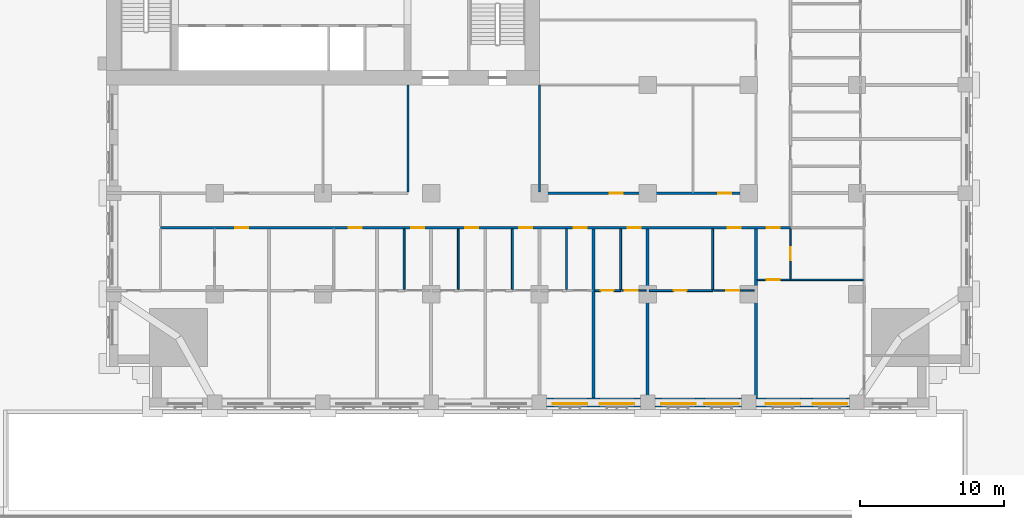
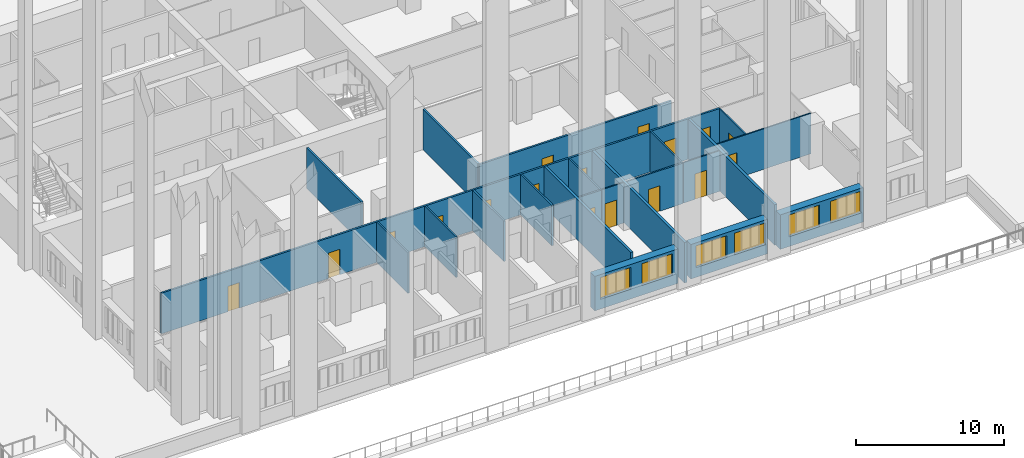
# One storey, part 7 of 27: 22 walls, 17 doors, 6 windows, 23 openings.
"""IFC4 building model written with IfcOpenShell, lengths in metres."""

from ifc_helpers import new_model, si_unit, direction, frame, frame_2d, origin, place, context, subcontext, project, spatial, rectangle, extrude, material, layer, layer_set, type_object, element, fill, save


model = new_model("IFC4")

# Units and contexts
model_context = context("Model", 3, precision=1e-05, world=origin(), true_north=direction((0.0, 1.0)))
body_context = subcontext(model_context, "Body", "Model", "MODEL_VIEW")
ifc_project = project(units=[si_unit("LENGTHUNIT", "METRE"), si_unit("AREAUNIT", "SQUARE_METRE"), si_unit("VOLUMEUNIT", "CUBIC_METRE"), si_unit("PLANEANGLEUNIT", "RADIAN"), si_unit("MASSUNIT", "GRAM", prefix="KILO")], contexts=[model_context])

# Site, building, storey
site_placement = place(None, origin())
site = spatial("IfcSite", under=ifc_project, at=site_placement, CompositionType="ELEMENT")
building_placement = place(site_placement, origin())
building = spatial("IfcBuilding", under=site, at=building_placement, Name="Tamorin Gate", CompositionType="ELEMENT")
storey_placement = place(building_placement, frame((0.0, 0.0, 34.0)))
storey = spatial("IfcBuildingStorey", under=building, at=storey_placement, Name="L06", CompositionType="ELEMENT", Elevation=34.0)

# Wall, openings, windows
ifc_material_1 = material(Name="Precast concrete C40/50", Category="concrete")
ifc_layer_1 = layer(ifc_material_1, 0.60009765625)
ifc_layer_set_1 = layer_set([ifc_layer_1], Name="Precast concrete C40/50")
wall_type_1 = type_object("IfcWallType", Name="Board-marked concrete facade panel 600", PredefinedType="SOLIDWALL", material=ifc_layer_set_1)
wall_1_placement = place(storey_placement, frame((60.5, 38.0, 0.0), z_axis=(0.0, 0.0, 1.0), x_axis=(1.0, 0.0, 0.0)))
wall_1 = element("IfcWall", 1, at=wall_1_placement, inside=storey, type_object=wall_type_1, Name="Facade panel", PredefinedType="SOLIDWALL", context=body_context, shape_type="SweptSolid", body=[
    extrude(rectangle(XDim=6.5, YDim=0.60009765625, at=frame_2d((3.25, 0.0))), origin(), (0.0, 0.0, 1.0), 2.85009765625),
])
opening_1_placement = place(wall_1_placement, frame((0.425048828125, 0.0, 0.800048828125)))
opening_1 = element("IfcOpeningElement", 2, at=opening_1_placement, cuts=wall_1, Name="Opening WN1", PredefinedType="OPENING", context=body_context, shape_type="SweptSolid", body=[
    extrude(rectangle(XDim=2.39990234375, YDim=1.800048828125, at=frame_2d((1.199951171875, 0.89990234375))), frame((0.0, 0.31005859375, 0.0), z_axis=(0.0, -1.0, 0.0), x_axis=(1.0, 0.0, 0.0)), (0.0, 0.0, 1.0), 0.6201171875),
])
opening_2_placement = place(wall_1_placement, frame((3.675048828125, 0.0, 0.800048828125)))
opening_2 = element("IfcOpeningElement", 3, at=opening_2_placement, cuts=wall_1, Name="Opening WN1", PredefinedType="OPENING", context=body_context, shape_type="SweptSolid", body=[
    extrude(rectangle(XDim=2.39990234375, YDim=1.800048828125, at=frame_2d((1.199951171875, 0.89990234375))), frame((0.0, 0.31005859375, 0.0), z_axis=(0.0, -1.0, 0.0), x_axis=(1.0, 0.0, 0.0)), (0.0, 0.0, 1.0), 0.6201171875),
])
ifc_material_2 = material(Name="Clear glass in aluminium frame", Category="aluminium")
window_type = type_object("IfcWindowType", Name="Deep-set window 2400x1800", PartitioningType="SINGLE_PANEL", PredefinedType="WINDOW", material=ifc_material_2)
window_1_placement = place(opening_1_placement, origin())
window_1 = element("IfcWindow", 4, at=window_1_placement, inside=storey, type_object=window_type, Name="Deep-set window", OverallHeight=1.800048828125, OverallWidth=2.39990234375, PartitioningType="SINGLE_PANEL", PredefinedType="WINDOW", context=body_context, shape_type="SweptSolid", body=[
    extrude(rectangle(XDim=2.39990234375, YDim=1.800048828125, at=frame_2d((1.199951171875, 0.89990234375))), frame((0.0, -0.070068359375, 0.0), z_axis=(0.0, -1.0, 0.0), x_axis=(1.0, 0.0, 0.0)), (0.0, 0.0, 1.0), 0.06005859375),
])
fill(opening_1, window_1)
window_2_placement = place(opening_2_placement, origin())
window_2 = element("IfcWindow", 5, at=window_2_placement, inside=storey, type_object=window_type, Name="Deep-set window", OverallHeight=1.800048828125, OverallWidth=2.39990234375, PartitioningType="SINGLE_PANEL", PredefinedType="WINDOW", context=body_context, shape_type="SweptSolid", body=[
    extrude(rectangle(XDim=2.39990234375, YDim=1.800048828125, at=frame_2d((1.199951171875, 0.89990234375))), frame((0.0, -0.070068359375, 0.0), z_axis=(0.0, -1.0, 0.0), x_axis=(1.0, 0.0, 0.0)), (0.0, 0.0, 1.0), 0.06005859375),
])
fill(opening_2, window_2)

wall_2_placement = place(storey_placement, frame((68.0, 38.0, 0.0), z_axis=(0.0, 0.0, 1.0), x_axis=(1.0, 0.0, 0.0)))
wall_2 = element("IfcWall", 6, at=wall_2_placement, inside=storey, type_object=wall_type_1, Name="Facade panel", PredefinedType="SOLIDWALL", context=body_context, shape_type="SweptSolid", body=[
    extrude(rectangle(XDim=6.0, YDim=0.60009765625, at=frame_2d((3.0, 0.0))), origin(), (0.0, 0.0, 1.0), 2.85009765625),
])
opening_3_placement = place(wall_2_placement, frame((0.425048828125, 0.0, 0.800048828125)))
opening_3 = element("IfcOpeningElement", 7, at=opening_3_placement, cuts=wall_2, Name="Opening WN1", PredefinedType="OPENING", context=body_context, shape_type="SweptSolid", body=[
    extrude(rectangle(XDim=2.39990234375, YDim=1.800048828125, at=frame_2d((1.199951171875, 0.89990234375))), frame((0.0, 0.31005859375, 0.0), z_axis=(0.0, -1.0, 0.0), x_axis=(1.0, 0.0, 0.0)), (0.0, 0.0, 1.0), 0.6201171875),
])
opening_4_placement = place(wall_2_placement, frame((3.425048828125, 0.0, 0.800048828125)))
opening_4 = element("IfcOpeningElement", 8, at=opening_4_placement, cuts=wall_2, Name="Opening WN1", PredefinedType="OPENING", context=body_context, shape_type="SweptSolid", body=[
    extrude(rectangle(XDim=2.39990234375, YDim=1.800048828125, at=frame_2d((1.199951171875, 0.89990234375))), frame((0.0, 0.31005859375, 0.0), z_axis=(0.0, -1.0, 0.0), x_axis=(1.0, 0.0, 0.0)), (0.0, 0.0, 1.0), 0.6201171875),
])
window_3_placement = place(opening_3_placement, origin())
window_3 = element("IfcWindow", 9, at=window_3_placement, inside=storey, type_object=window_type, Name="Deep-set window", OverallHeight=1.800048828125, OverallWidth=2.39990234375, PartitioningType="SINGLE_PANEL", PredefinedType="WINDOW", context=body_context, shape_type="SweptSolid", body=[
    extrude(rectangle(XDim=2.39990234375, YDim=1.800048828125, at=frame_2d((1.199951171875, 0.89990234375))), frame((0.0, -0.070068359375, 0.0), z_axis=(0.0, -1.0, 0.0), x_axis=(1.0, 0.0, 0.0)), (0.0, 0.0, 1.0), 0.06005859375),
])
fill(opening_3, window_3)
window_4_placement = place(opening_4_placement, origin())
window_4 = element("IfcWindow", 10, at=window_4_placement, inside=storey, type_object=window_type, Name="Deep-set window", OverallHeight=1.800048828125, OverallWidth=2.39990234375, PartitioningType="SINGLE_PANEL", PredefinedType="WINDOW", context=body_context, shape_type="SweptSolid", body=[
    extrude(rectangle(XDim=2.39990234375, YDim=1.800048828125, at=frame_2d((1.199951171875, 0.89990234375))), frame((0.0, -0.070068359375, 0.0), z_axis=(0.0, -1.0, 0.0), x_axis=(1.0, 0.0, 0.0)), (0.0, 0.0, 1.0), 0.06005859375),
])
fill(opening_4, window_4)

wall_3_placement = place(storey_placement, frame((75.0, 38.0, 0.0), z_axis=(0.0, 0.0, 1.0), x_axis=(1.0, 0.0, 0.0)))
wall_3 = element("IfcWall", 11, at=wall_3_placement, inside=storey, type_object=wall_type_1, Name="Facade panel", PredefinedType="SOLIDWALL", context=body_context, shape_type="SweptSolid", body=[
    extrude(rectangle(XDim=6.5, YDim=0.60009765625, at=frame_2d((3.25, 0.0))), origin(), (0.0, 0.0, 1.0), 2.85009765625),
])
opening_5_placement = place(wall_3_placement, frame((0.675048828125, 0.0, 0.800048828125)))
opening_5 = element("IfcOpeningElement", 12, at=opening_5_placement, cuts=wall_3, Name="Opening WN1", PredefinedType="OPENING", context=body_context, shape_type="SweptSolid", body=[
    extrude(rectangle(XDim=2.39990234375, YDim=1.800048828125, at=frame_2d((1.199951171875, 0.89990234375))), frame((0.0, 0.31005859375, 0.0), z_axis=(0.0, -1.0, 0.0), x_axis=(1.0, 0.0, 0.0)), (0.0, 0.0, 1.0), 0.6201171875),
])
opening_6_placement = place(wall_3_placement, frame((3.925048828125, 0.0, 0.800048828125)))
opening_6 = element("IfcOpeningElement", 13, at=opening_6_placement, cuts=wall_3, Name="Opening WN1", PredefinedType="OPENING", context=body_context, shape_type="SweptSolid", body=[
    extrude(rectangle(XDim=2.39990234375, YDim=1.800048828125, at=frame_2d((1.199951171875, 0.89990234375))), frame((0.0, 0.31005859375, 0.0), z_axis=(0.0, -1.0, 0.0), x_axis=(1.0, 0.0, 0.0)), (0.0, 0.0, 1.0), 0.6201171875),
])
window_5_placement = place(opening_5_placement, origin())
window_5 = element("IfcWindow", 14, at=window_5_placement, inside=storey, type_object=window_type, Name="Deep-set window", OverallHeight=1.800048828125, OverallWidth=2.39990234375, PartitioningType="SINGLE_PANEL", PredefinedType="WINDOW", context=body_context, shape_type="SweptSolid", body=[
    extrude(rectangle(XDim=2.39990234375, YDim=1.800048828125, at=frame_2d((1.199951171875, 0.89990234375))), frame((0.0, -0.070068359375, 0.0), z_axis=(0.0, -1.0, 0.0), x_axis=(1.0, 0.0, 0.0)), (0.0, 0.0, 1.0), 0.06005859375),
])
fill(opening_5, window_5)
window_6_placement = place(opening_6_placement, origin())
window_6 = element("IfcWindow", 15, at=window_6_placement, inside=storey, type_object=window_type, Name="Deep-set window", OverallHeight=1.800048828125, OverallWidth=2.39990234375, PartitioningType="SINGLE_PANEL", PredefinedType="WINDOW", context=body_context, shape_type="SweptSolid", body=[
    extrude(rectangle(XDim=2.39990234375, YDim=1.800048828125, at=frame_2d((1.199951171875, 0.89990234375))), frame((0.0, -0.070068359375, 0.0), z_axis=(0.0, -1.0, 0.0), x_axis=(1.0, 0.0, 0.0)), (0.0, 0.0, 1.0), 0.06005859375),
])
fill(opening_6, window_6)

# Wall, openings, doors
ifc_material_3 = material(Name="Gypsum board partition")
ifc_layer_2 = layer(ifc_material_3, 0.14990234375)
ifc_layer_set_2 = layer_set([ifc_layer_2], Name="Corridor wall 150")
wall_type_2 = type_object("IfcWallType", Name="Corridor wall 150", PredefinedType="PARTITIONING", material=ifc_layer_set_2)
wall_4_placement = place(storey_placement, frame((33.75, 50.10009765625, 0.0), z_axis=(0.0, 0.0, 1.0), x_axis=(1.0, 0.0, 0.0)))
wall_4 = element("IfcWall", 16, at=wall_4_placement, inside=storey, type_object=wall_type_2, Name="Corridor wall 150", PredefinedType="PARTITIONING", context=body_context, shape_type="SweptSolid", body=[
    extrude(rectangle(XDim=43.64990234375, YDim=0.14990234375, at=frame_2d((21.824951171875, 0.0))), origin(), (0.0, 0.0, 1.0), 3.35009765625),
])
opening_7_placement = place(wall_4_placement, frame((5.175048828125, 0.0, 0.0)))
opening_7 = element("IfcOpeningElement", 17, at=opening_7_placement, cuts=wall_4, Name="Opening DH1003", PredefinedType="OPENING", context=body_context, shape_type="SweptSolid", body=[
    extrude(rectangle(XDim=0.89990234375, YDim=2.10009765625, at=frame_2d((0.449951171875, 1.050048828125))), frame((0.0, 0.0849609375, 0.0), z_axis=(0.0, -1.0, 0.0), x_axis=(1.0, 0.0, 0.0)), (0.0, 0.0, 1.0), 0.169921875),
])
opening_8_placement = place(wall_4_placement, frame((13.050048828125, 0.0, 0.0)))
opening_8 = element("IfcOpeningElement", 18, at=opening_8_placement, cuts=wall_4, Name="Opening DH1006", PredefinedType="OPENING", context=body_context, shape_type="SweptSolid", body=[
    extrude(rectangle(XDim=0.89990234375, YDim=2.10009765625, at=frame_2d((0.449951171875, 1.050048828125))), frame((0.0, 0.0849609375, 0.0), z_axis=(0.0, -1.0, 0.0), x_axis=(1.0, 0.0, 0.0)), (0.0, 0.0, 1.0), 0.169921875),
])
opening_9_placement = place(wall_4_placement, frame((17.362548828125, 0.0, 0.0)))
opening_9 = element("IfcOpeningElement", 19, at=opening_9_placement, cuts=wall_4, Name="Opening DH1009", PredefinedType="OPENING", context=body_context, shape_type="SweptSolid", body=[
    extrude(rectangle(XDim=0.89990234375, YDim=2.10009765625, at=frame_2d((0.449951171875, 1.050048828125))), frame((0.0, 0.0849609375, 0.0), z_axis=(0.0, -1.0, 0.0), x_axis=(1.0, 0.0, 0.0)), (0.0, 0.0, 1.0), 0.169921875),
])
opening_10_placement = place(wall_4_placement, frame((21.112548828125, 0.0, 0.0)))
opening_10 = element("IfcOpeningElement", 20, at=opening_10_placement, cuts=wall_4, Name="Opening DH1012", PredefinedType="OPENING", context=body_context, shape_type="SweptSolid", body=[
    extrude(rectangle(XDim=0.89990234375, YDim=2.10009765625, at=frame_2d((0.449951171875, 1.050048828125))), frame((0.0, 0.0849609375, 0.0), z_axis=(0.0, -1.0, 0.0), x_axis=(1.0, 0.0, 0.0)), (0.0, 0.0, 1.0), 0.169921875),
])
opening_11_placement = place(wall_4_placement, frame((24.862548828125, 0.0, 0.0)))
opening_11 = element("IfcOpeningElement", 21, at=opening_11_placement, cuts=wall_4, Name="Opening DH1015", PredefinedType="OPENING", context=body_context, shape_type="SweptSolid", body=[
    extrude(rectangle(XDim=0.89990234375, YDim=2.10009765625, at=frame_2d((0.449951171875, 1.050048828125))), frame((0.0, 0.0849609375, 0.0), z_axis=(0.0, -1.0, 0.0), x_axis=(1.0, 0.0, 0.0)), (0.0, 0.0, 1.0), 0.169921875),
])
opening_12_placement = place(wall_4_placement, frame((28.612548828125, 0.0, 0.0)))
opening_12 = element("IfcOpeningElement", 22, at=opening_12_placement, cuts=wall_4, Name="Opening DH1018", PredefinedType="OPENING", context=body_context, shape_type="SweptSolid", body=[
    extrude(rectangle(XDim=0.89990234375, YDim=2.10009765625, at=frame_2d((0.449951171875, 1.050048828125))), frame((0.0, 0.0849609375, 0.0), z_axis=(0.0, -1.0, 0.0), x_axis=(1.0, 0.0, 0.0)), (0.0, 0.0, 1.0), 0.169921875),
])
opening_13_placement = place(wall_4_placement, frame((32.362548828125, 0.0, 0.0)))
opening_13 = element("IfcOpeningElement", 23, at=opening_13_placement, cuts=wall_4, Name="Opening DH1021", PredefinedType="OPENING", context=body_context, shape_type="SweptSolid", body=[
    extrude(rectangle(XDim=0.89990234375, YDim=2.10009765625, at=frame_2d((0.449951171875, 1.050048828125))), frame((0.0, 0.0849609375, 0.0), z_axis=(0.0, -1.0, 0.0), x_axis=(1.0, 0.0, 0.0)), (0.0, 0.0, 1.0), 0.169921875),
])
opening_14_placement = place(wall_4_placement, frame((39.300048828125, 0.0, 0.0)))
opening_14 = element("IfcOpeningElement", 24, at=opening_14_placement, cuts=wall_4, Name="Opening DH1024", PredefinedType="OPENING", context=body_context, shape_type="SweptSolid", body=[
    extrude(rectangle(XDim=0.89990234375, YDim=2.10009765625, at=frame_2d((0.449951171875, 1.050048828125))), frame((0.0, 0.0849609375, 0.0), z_axis=(0.0, -1.0, 0.0), x_axis=(1.0, 0.0, 0.0)), (0.0, 0.0, 1.0), 0.169921875),
])
opening_15_placement = place(wall_4_placement, frame((42.0, 0.0, 0.0)))
opening_15 = element("IfcOpeningElement", 25, at=opening_15_placement, cuts=wall_4, Name="Opening DH1081", PredefinedType="OPENING", context=body_context, shape_type="SweptSolid", body=[
    extrude(rectangle(XDim=0.89990234375, YDim=2.10009765625, at=frame_2d((0.449951171875, 1.050048828125))), frame((0.0, 0.0849609375, 0.0), z_axis=(0.0, -1.0, 0.0), x_axis=(1.0, 0.0, 0.0)), (0.0, 0.0, 1.0), 0.169921875),
])
ifc_material_4 = material(Name="Timber door leaf", Category="wood")
door_type_1 = type_object("IfcDoorType", Name="Door 900 x 2100 FD30S", OperationType="NOTDEFINED", PredefinedType="DOOR", material=ifc_material_4)
door_1_placement = place(opening_7_placement, origin())
door_1 = element("IfcDoor", 26, at=door_1_placement, inside=storey, type_object=door_type_1, Name="Door DH1003", OperationType="SINGLE_SWING_RIGHT", OverallHeight=2.10009765625, OverallWidth=0.89990234375, PredefinedType="DOOR", context=body_context, shape_type="SweptSolid", body=[
    extrude(rectangle(XDim=0.89990234375, YDim=2.10009765625, at=frame_2d((0.449951171875, 1.050048828125))), frame((0.0, 0.02490234375, 0.0), z_axis=(0.0, -1.0, 0.0), x_axis=(1.0, 0.0, 0.0)), (0.0, 0.0, 1.0), 0.050048828125),
])
fill(opening_7, door_1)
door_2_placement = place(opening_8_placement, origin())
door_2 = element("IfcDoor", 27, at=door_2_placement, inside=storey, type_object=door_type_1, Name="Door DH1006", OperationType="SINGLE_SWING_RIGHT", OverallHeight=2.10009765625, OverallWidth=0.89990234375, PredefinedType="DOOR", context=body_context, shape_type="SweptSolid", body=[
    extrude(rectangle(XDim=0.89990234375, YDim=2.10009765625, at=frame_2d((0.449951171875, 1.050048828125))), frame((0.0, 0.02490234375, 0.0), z_axis=(0.0, -1.0, 0.0), x_axis=(1.0, 0.0, 0.0)), (0.0, 0.0, 1.0), 0.050048828125),
])
fill(opening_8, door_2)
door_3_placement = place(opening_9_placement, origin())
door_3 = element("IfcDoor", 28, at=door_3_placement, inside=storey, type_object=door_type_1, Name="Door DH1009", OperationType="SINGLE_SWING_RIGHT", OverallHeight=2.10009765625, OverallWidth=0.89990234375, PredefinedType="DOOR", context=body_context, shape_type="SweptSolid", body=[
    extrude(rectangle(XDim=0.89990234375, YDim=2.10009765625, at=frame_2d((0.449951171875, 1.050048828125))), frame((0.0, 0.02490234375, 0.0), z_axis=(0.0, -1.0, 0.0), x_axis=(1.0, 0.0, 0.0)), (0.0, 0.0, 1.0), 0.050048828125),
])
fill(opening_9, door_3)
door_4_placement = place(opening_10_placement, origin())
door_4 = element("IfcDoor", 29, at=door_4_placement, inside=storey, type_object=door_type_1, Name="Door DH1012", OperationType="SINGLE_SWING_RIGHT", OverallHeight=2.10009765625, OverallWidth=0.89990234375, PredefinedType="DOOR", context=body_context, shape_type="SweptSolid", body=[
    extrude(rectangle(XDim=0.89990234375, YDim=2.10009765625, at=frame_2d((0.449951171875, 1.050048828125))), frame((0.0, 0.02490234375, 0.0), z_axis=(0.0, -1.0, 0.0), x_axis=(1.0, 0.0, 0.0)), (0.0, 0.0, 1.0), 0.050048828125),
])
fill(opening_10, door_4)
door_5_placement = place(opening_11_placement, origin())
door_5 = element("IfcDoor", 30, at=door_5_placement, inside=storey, type_object=door_type_1, Name="Door DH1015", OperationType="SINGLE_SWING_RIGHT", OverallHeight=2.10009765625, OverallWidth=0.89990234375, PredefinedType="DOOR", context=body_context, shape_type="SweptSolid", body=[
    extrude(rectangle(XDim=0.89990234375, YDim=2.10009765625, at=frame_2d((0.449951171875, 1.050048828125))), frame((0.0, 0.02490234375, 0.0), z_axis=(0.0, -1.0, 0.0), x_axis=(1.0, 0.0, 0.0)), (0.0, 0.0, 1.0), 0.050048828125),
])
fill(opening_11, door_5)
door_6_placement = place(opening_12_placement, origin())
door_6 = element("IfcDoor", 31, at=door_6_placement, inside=storey, type_object=door_type_1, Name="Door DH1018", OperationType="SINGLE_SWING_RIGHT", OverallHeight=2.10009765625, OverallWidth=0.89990234375, PredefinedType="DOOR", context=body_context, shape_type="SweptSolid", body=[
    extrude(rectangle(XDim=0.89990234375, YDim=2.10009765625, at=frame_2d((0.449951171875, 1.050048828125))), frame((0.0, 0.02490234375, 0.0), z_axis=(0.0, -1.0, 0.0), x_axis=(1.0, 0.0, 0.0)), (0.0, 0.0, 1.0), 0.050048828125),
])
fill(opening_12, door_6)
door_7_placement = place(opening_13_placement, origin())
door_7 = element("IfcDoor", 32, at=door_7_placement, inside=storey, type_object=door_type_1, Name="Door DH1021", OperationType="SINGLE_SWING_RIGHT", OverallHeight=2.10009765625, OverallWidth=0.89990234375, PredefinedType="DOOR", context=body_context, shape_type="SweptSolid", body=[
    extrude(rectangle(XDim=0.89990234375, YDim=2.10009765625, at=frame_2d((0.449951171875, 1.050048828125))), frame((0.0, 0.02490234375, 0.0), z_axis=(0.0, -1.0, 0.0), x_axis=(1.0, 0.0, 0.0)), (0.0, 0.0, 1.0), 0.050048828125),
])
fill(opening_13, door_7)
door_8_placement = place(opening_14_placement, origin())
door_8 = element("IfcDoor", 33, at=door_8_placement, inside=storey, type_object=door_type_1, Name="Door DH1024", OperationType="SINGLE_SWING_RIGHT", OverallHeight=2.10009765625, OverallWidth=0.89990234375, PredefinedType="DOOR", context=body_context, shape_type="SweptSolid", body=[
    extrude(rectangle(XDim=0.89990234375, YDim=2.10009765625, at=frame_2d((0.449951171875, 1.050048828125))), frame((0.0, 0.02490234375, 0.0), z_axis=(0.0, -1.0, 0.0), x_axis=(1.0, 0.0, 0.0)), (0.0, 0.0, 1.0), 0.050048828125),
])
fill(opening_14, door_8)
door_9_placement = place(opening_15_placement, origin())
door_9 = element("IfcDoor", 34, at=door_9_placement, inside=storey, type_object=door_type_1, Name="Door DH1081", OperationType="SINGLE_SWING_LEFT", OverallHeight=2.10009765625, OverallWidth=0.89990234375, PredefinedType="DOOR", context=body_context, shape_type="SweptSolid", body=[
    extrude(rectangle(XDim=0.89990234375, YDim=2.10009765625, at=frame_2d((0.449951171875, 1.050048828125))), frame((0.0, 0.02490234375, 0.0), z_axis=(0.0, -1.0, 0.0), x_axis=(1.0, 0.0, 0.0)), (0.0, 0.0, 1.0), 0.050048828125),
])
fill(opening_15, door_9)

wall_5_placement = place(storey_placement, frame((60.0, 52.5, 0.0), z_axis=(0.0, 0.0, 1.0), x_axis=(1.0, 0.0, 0.0)))
wall_5 = element("IfcWall", 35, at=wall_5_placement, inside=storey, type_object=wall_type_2, Name="Corridor wall 150", PredefinedType="PARTITIONING", context=body_context, shape_type="SweptSolid", body=[
    extrude(rectangle(XDim=15.0, YDim=0.14990234375, at=frame_2d((7.5, 0.0))), origin(), (0.0, 0.0, 1.0), 3.35009765625),
])
opening_16_placement = place(wall_5_placement, frame((4.875, 0.0, 0.0)))
opening_16 = element("IfcOpeningElement", 36, at=opening_16_placement, cuts=wall_5, Name="Opening DH1095", PredefinedType="OPENING", context=body_context, shape_type="SweptSolid", body=[
    extrude(rectangle(XDim=0.89990234375, YDim=2.10009765625, at=frame_2d((0.449951171875, 1.050048828125))), frame((0.0, 0.0849609375, 0.0), z_axis=(0.0, -1.0, 0.0), x_axis=(1.0, 0.0, 0.0)), (0.0, 0.0, 1.0), 0.169921875),
])
opening_17_placement = place(wall_5_placement, frame((12.375, 0.0, 0.0)))
opening_17 = element("IfcOpeningElement", 37, at=opening_17_placement, cuts=wall_5, Name="Opening DH1096", PredefinedType="OPENING", context=body_context, shape_type="SweptSolid", body=[
    extrude(rectangle(XDim=0.89990234375, YDim=2.10009765625, at=frame_2d((0.449951171875, 1.050048828125))), frame((0.0, 0.0849609375, 0.0), z_axis=(0.0, -1.0, 0.0), x_axis=(1.0, 0.0, 0.0)), (0.0, 0.0, 1.0), 0.169921875),
])
door_10_placement = place(opening_16_placement, origin())
door_10 = element("IfcDoor", 38, at=door_10_placement, inside=storey, type_object=door_type_1, Name="Door DH1095", OperationType="SINGLE_SWING_RIGHT", OverallHeight=2.10009765625, OverallWidth=0.89990234375, PredefinedType="DOOR", context=body_context, shape_type="SweptSolid", body=[
    extrude(rectangle(XDim=0.89990234375, YDim=2.10009765625, at=frame_2d((0.449951171875, 1.050048828125))), frame((0.0, 0.02490234375, 0.0), z_axis=(0.0, -1.0, 0.0), x_axis=(1.0, 0.0, 0.0)), (0.0, 0.0, 1.0), 0.050048828125),
])
fill(opening_16, door_10)
door_11_placement = place(opening_17_placement, origin())
door_11 = element("IfcDoor", 39, at=door_11_placement, inside=storey, type_object=door_type_1, Name="Door DH1096", OperationType="SINGLE_SWING_RIGHT", OverallHeight=2.10009765625, OverallWidth=0.89990234375, PredefinedType="DOOR", context=body_context, shape_type="SweptSolid", body=[
    extrude(rectangle(XDim=0.89990234375, YDim=2.10009765625, at=frame_2d((0.449951171875, 1.050048828125))), frame((0.0, 0.02490234375, 0.0), z_axis=(0.0, -1.0, 0.0), x_axis=(1.0, 0.0, 0.0)), (0.0, 0.0, 1.0), 0.050048828125),
])
fill(opening_17, door_11)

# Walls
ifc_layer_3 = layer(ifc_material_3, 0.199951171875)
ifc_layer_set_3 = layer_set([ifc_layer_3], Name="Demising wall 200")
wall_type_3 = type_object("IfcWallType", Name="Demising wall 200", PredefinedType="PARTITIONING", material=ifc_layer_set_3)
wall_6_placement = place(storey_placement, frame((63.75, 38.31005859375, 0.0), z_axis=(0.0, 0.0, 1.0), x_axis=(0.0, 1.0, 0.0)))
element("IfcWall", 40, at=wall_6_placement, inside=storey, type_object=wall_type_3, Name="Demising wall 200", PredefinedType="PARTITIONING", context=body_context, shape_type="SweptSolid", body=[
    extrude(rectangle(XDim=11.71484375, YDim=0.199951171875, at=frame_2d((5.857421875, 0.0))), origin(), (0.0, 0.0, 1.0), 3.35009765625),
])
wall_7_placement = place(storey_placement, frame((67.5, 37.5, 0.0), z_axis=(0.0, 0.0, 1.0), x_axis=(0.0, 1.0, 0.0)))
element("IfcWall", 41, at=wall_7_placement, inside=storey, type_object=wall_type_3, Name="Demising wall 200", PredefinedType="PARTITIONING", context=body_context, shape_type="SweptSolid", body=[
    extrude(rectangle(XDim=12.52490234375, YDim=0.199951171875, at=frame_2d((6.262451171875, 0.0))), origin(), (0.0, 0.0, 1.0), 3.35009765625),
])
wall_8_placement = place(storey_placement, frame((75.0, 38.31005859375, 0.0), z_axis=(0.0, 0.0, 1.0), x_axis=(0.0, 1.0, 0.0)))
element("IfcWall", 42, at=wall_8_placement, inside=storey, type_object=wall_type_3, Name="Demising wall 200", PredefinedType="PARTITIONING", context=body_context, shape_type="SweptSolid", body=[
    extrude(rectangle(XDim=11.71484375, YDim=0.199951171875, at=frame_2d((5.857421875, 0.0))), origin(), (0.0, 0.0, 1.0), 3.35009765625),
])
ifc_layer_4 = layer(ifc_material_3, 0.14990234375)
ifc_layer_set_4 = layer_set([ifc_layer_4], Name="Lobby wall 150")
wall_type_4 = type_object("IfcWallType", Name="Lobby wall 150", PredefinedType="PARTITIONING", material=ifc_layer_set_4)
for number, where, z_axis, x_axis, name in (
    (43, (50.89990234375, 52.574951171875, 0.0), (0.0, 0.0, 1.0), (0.0, 1.0, 0.0), "Lobby wall 150"),
    (44, (60.0, 52.574951171875, 0.0), (0.0, 0.0, 1.0), (0.0, 1.0, 0.0), "Lobby wall 150"),
):
    element("IfcWall", number, at=place(storey_placement, frame(where, z_axis=z_axis, x_axis=x_axis)), inside=storey, type_object=wall_type_4, Name=name, PredefinedType="PARTITIONING", context=body_context, shape_type="SweptSolid", body=[
        extrude(rectangle(XDim=7.425048828125, YDim=0.14990234375, at=frame_2d((3.71240234375, 0.0))), origin(), (0.0, 0.0, 1.0), 3.35009765625),
    ])

# Wall, opening, door
ifc_layer_5 = layer(ifc_material_3, 0.10009765625)
ifc_layer_set_5 = layer_set([ifc_layer_5], Name="Room partition 100")
wall_type_5 = type_object("IfcWallType", Name="Room partition 100", PredefinedType="PARTITIONING", material=ifc_layer_set_5)
wall_9_placement = place(storey_placement, frame((65.6875, 45.75, 0.0), z_axis=(0.0, 0.0, 1.0), x_axis=(1.0, 0.0, 0.0)))
wall_9 = element("IfcWall", 45, at=wall_9_placement, inside=storey, type_object=wall_type_5, Name="Room partition 100", PredefinedType="PARTITIONING", context=body_context, shape_type="SweptSolid", body=[
    extrude(rectangle(XDim=1.71240234375, YDim=0.10009765625, at=frame_2d((0.856201171875, 0.0))), origin(), (0.0, 0.0, 1.0), 3.35009765625),
])
opening_18_placement = place(wall_9_placement, frame((0.22509765625, 0.0, 0.0)))
opening_18 = element("IfcOpeningElement", 46, at=opening_18_placement, cuts=wall_9, Name="Opening DH1022", PredefinedType="OPENING", context=body_context, shape_type="SweptSolid", body=[
    extrude(rectangle(XDim=0.89990234375, YDim=2.10009765625, at=frame_2d((0.449951171875, 1.050048828125))), frame((0.0, 0.06005859375, 0.0), z_axis=(0.0, -1.0, 0.0), x_axis=(1.0, 0.0, 0.0)), (0.0, 0.0, 1.0), 0.1201171875),
])
door_type_2 = type_object("IfcDoorType", Name="Door 900 x 2100", OperationType="NOTDEFINED", PredefinedType="DOOR", material=ifc_material_4)
door_12_placement = place(opening_18_placement, origin())
door_12 = element("IfcDoor", 47, at=door_12_placement, inside=storey, type_object=door_type_2, Name="Door DH1022", OperationType="SINGLE_SWING_LEFT", OverallHeight=2.10009765625, OverallWidth=0.89990234375, PredefinedType="DOOR", context=body_context, shape_type="SweptSolid", body=[
    extrude(rectangle(XDim=0.89990234375, YDim=2.10009765625, at=frame_2d((0.449951171875, 1.050048828125))), frame((0.0, 0.02490234375, 0.0), z_axis=(0.0, -1.0, 0.0), x_axis=(1.0, 0.0, 0.0)), (0.0, 0.0, 1.0), 0.050048828125),
])
fill(opening_18, door_12)

wall_10_placement = place(storey_placement, frame((72.0625, 45.75, 0.0), z_axis=(0.0, 0.0, 1.0), x_axis=(1.0, 0.0, 0.0)))
wall_10 = element("IfcWall", 48, at=wall_10_placement, inside=storey, type_object=wall_type_5, Name="Room partition 100", PredefinedType="PARTITIONING", context=body_context, shape_type="SweptSolid", body=[
    extrude(rectangle(XDim=2.83740234375, YDim=0.10009765625, at=frame_2d((1.418701171875, 0.0))), origin(), (0.0, 0.0, 1.0), 3.35009765625),
])
opening_19_placement = place(wall_10_placement, frame((0.887451171875, 0.0, 0.0)))
opening_19 = element("IfcOpeningElement", 49, at=opening_19_placement, cuts=wall_10, Name="Opening DH1025", PredefinedType="OPENING", context=body_context, shape_type="SweptSolid", body=[
    extrude(rectangle(XDim=0.89990234375, YDim=2.10009765625, at=frame_2d((0.449951171875, 1.050048828125))), frame((0.0, 0.06005859375, 0.0), z_axis=(0.0, -1.0, 0.0), x_axis=(1.0, 0.0, 0.0)), (0.0, 0.0, 1.0), 0.1201171875),
])
door_13_placement = place(opening_19_placement, origin())
door_13 = element("IfcDoor", 50, at=door_13_placement, inside=storey, type_object=door_type_2, Name="Door DH1025", OperationType="SINGLE_SWING_LEFT", OverallHeight=2.10009765625, OverallWidth=0.89990234375, PredefinedType="DOOR", context=body_context, shape_type="SweptSolid", body=[
    extrude(rectangle(XDim=0.89990234375, YDim=2.10009765625, at=frame_2d((0.449951171875, 1.050048828125))), frame((0.0, 0.02490234375, 0.0), z_axis=(0.0, -1.0, 0.0), x_axis=(1.0, 0.0, 0.0)), (0.0, 0.0, 1.0), 0.050048828125),
])
fill(opening_19, door_13)

wall_11_placement = place(storey_placement, frame((75.10009765625, 46.5, 0.0), z_axis=(0.0, 0.0, 1.0), x_axis=(1.0, 0.0, 0.0)))
wall_11 = element("IfcWall", 51, at=wall_11_placement, inside=storey, type_object=wall_type_5, Name="Room partition 100", PredefinedType="PARTITIONING", context=body_context, shape_type="SweptSolid", body=[
    extrude(rectangle(XDim=7.349853515625, YDim=0.10009765625, at=frame_2d((3.6748046875, 0.0))), origin(), (0.0, 0.0, 1.0), 3.35009765625),
])
opening_20_placement = place(wall_11_placement, frame((0.64990234375, 0.0, 0.0)))
opening_20 = element("IfcOpeningElement", 52, at=opening_20_placement, cuts=wall_11, Name="Opening DH1082", PredefinedType="OPENING", context=body_context, shape_type="SweptSolid", body=[
    extrude(rectangle(XDim=0.89990234375, YDim=2.10009765625, at=frame_2d((0.449951171875, 1.050048828125))), frame((0.0, 0.06005859375, 0.0), z_axis=(0.0, -1.0, 0.0), x_axis=(1.0, 0.0, 0.0)), (0.0, 0.0, 1.0), 0.1201171875),
])
door_14_placement = place(opening_20_placement, origin())
door_14 = element("IfcDoor", 53, at=door_14_placement, inside=storey, type_object=door_type_2, Name="Door DH1082", OperationType="SINGLE_SWING_RIGHT", OverallHeight=2.10009765625, OverallWidth=0.89990234375, PredefinedType="DOOR", context=body_context, shape_type="SweptSolid", body=[
    extrude(rectangle(XDim=0.89990234375, YDim=2.10009765625, at=frame_2d((0.449951171875, 1.050048828125))), frame((0.0, 0.02490234375, 0.0), z_axis=(0.0, -1.0, 0.0), x_axis=(1.0, 0.0, 0.0)), (0.0, 0.0, 1.0), 0.050048828125),
])
fill(opening_20, door_14)

wall_12_placement = place(storey_placement, frame((77.39990234375, 46.550048828125, 0.0), z_axis=(0.0, 0.0, 1.0), x_axis=(0.0, 1.0, 0.0)))
wall_12 = element("IfcWall", 54, at=wall_12_placement, inside=storey, type_object=wall_type_5, Name="Room partition 100", PredefinedType="PARTITIONING", context=body_context, shape_type="SweptSolid", body=[
    extrude(rectangle(XDim=3.474853515625, YDim=0.10009765625, at=frame_2d((1.7373046875, 0.0))), origin(), (0.0, 0.0, 1.0), 3.35009765625),
])
opening_21_placement = place(wall_12_placement, frame((1.300048828125, 0.0, 0.0)))
opening_21 = element("IfcOpeningElement", 55, at=opening_21_placement, cuts=wall_12, Name="Opening DH1083", PredefinedType="OPENING", context=body_context, shape_type="SweptSolid", body=[
    extrude(rectangle(XDim=0.89990234375, YDim=2.10009765625, at=frame_2d((0.449951171875, 1.050048828125))), frame((0.0, 0.06005859375, 0.0), z_axis=(0.0, -1.0, 0.0), x_axis=(1.0, 0.0, 0.0)), (0.0, 0.0, 1.0), 0.1201171875),
])
door_15_placement = place(opening_21_placement, origin())
door_15 = element("IfcDoor", 56, at=door_15_placement, inside=storey, type_object=door_type_2, Name="Door DH1083", OperationType="SINGLE_SWING_RIGHT", OverallHeight=2.10009765625, OverallWidth=0.89990234375, PredefinedType="DOOR", context=body_context, shape_type="SweptSolid", body=[
    extrude(rectangle(XDim=0.89990234375, YDim=2.10009765625, at=frame_2d((0.449951171875, 1.050048828125))), frame((0.0, 0.02490234375, 0.0), z_axis=(0.0, -1.0, 0.0), x_axis=(1.0, 0.0, 0.0)), (0.0, 0.0, 1.0), 0.050048828125),
])
fill(opening_21, door_15)

ifc_layer_6 = layer(ifc_material_3, 0.125)
ifc_layer_set_6 = layer_set([ifc_layer_6], Name="Wet wall 125")
wall_type_6 = type_object("IfcWallType", Name="Wet wall 125", PredefinedType="PARTITIONING", material=ifc_layer_set_6)
wall_13_placement = place(storey_placement, frame((63.85009765625, 45.75, 0.0), z_axis=(0.0, 0.0, 1.0), x_axis=(1.0, 0.0, 0.0)))
wall_13 = element("IfcWall", 57, at=wall_13_placement, inside=storey, type_object=wall_type_6, Name="Wet wall 125", PredefinedType="PARTITIONING", context=body_context, shape_type="SweptSolid", body=[
    extrude(rectangle(XDim=1.77490234375, YDim=0.125, at=frame_2d((0.887451171875, 0.0))), origin(), (0.0, 0.0, 1.0), 3.35009765625),
])
opening_22_placement = place(wall_13_placement, frame((0.387451171875, 0.0, 0.0)))
opening_22 = element("IfcOpeningElement", 58, at=opening_22_placement, cuts=wall_13, Name="Opening DH1020", PredefinedType="OPENING", context=body_context, shape_type="SweptSolid", body=[
    extrude(rectangle(XDim=0.89990234375, YDim=2.10009765625, at=frame_2d((0.449951171875, 1.050048828125))), frame((0.0, 0.072509765625, 0.0), z_axis=(0.0, -1.0, 0.0), x_axis=(1.0, 0.0, 0.0)), (0.0, 0.0, 1.0), 0.14501953125),
])
door_16_placement = place(opening_22_placement, origin())
door_16 = element("IfcDoor", 59, at=door_16_placement, inside=storey, type_object=door_type_2, Name="Door DH1020", OperationType="SINGLE_SWING_LEFT", OverallHeight=2.10009765625, OverallWidth=0.89990234375, PredefinedType="DOOR", context=body_context, shape_type="SweptSolid", body=[
    extrude(rectangle(XDim=0.89990234375, YDim=2.10009765625, at=frame_2d((0.449951171875, 1.050048828125))), frame((0.0, 0.02490234375, 0.0), z_axis=(0.0, -1.0, 0.0), x_axis=(1.0, 0.0, 0.0)), (0.0, 0.0, 1.0), 0.050048828125),
])
fill(opening_22, door_16)

wall_14_placement = place(storey_placement, frame((67.60009765625, 45.75, 0.0), z_axis=(0.0, 0.0, 1.0), x_axis=(1.0, 0.0, 0.0)))
wall_14 = element("IfcWall", 60, at=wall_14_placement, inside=storey, type_object=wall_type_6, Name="Wet wall 125", PredefinedType="PARTITIONING", context=body_context, shape_type="SweptSolid", body=[
    extrude(rectangle(XDim=4.39990234375, YDim=0.125, at=frame_2d((2.199951171875, 0.0))), origin(), (0.0, 0.0, 1.0), 3.35009765625),
])
opening_23_placement = place(wall_14_placement, frame((1.699951171875, 0.0, 0.0)))
opening_23 = element("IfcOpeningElement", 61, at=opening_23_placement, cuts=wall_14, Name="Opening DH1023", PredefinedType="OPENING", context=body_context, shape_type="SweptSolid", body=[
    extrude(rectangle(XDim=0.89990234375, YDim=2.10009765625, at=frame_2d((0.449951171875, 1.050048828125))), frame((0.0, 0.072509765625, 0.0), z_axis=(0.0, -1.0, 0.0), x_axis=(1.0, 0.0, 0.0)), (0.0, 0.0, 1.0), 0.14501953125),
])
door_17_placement = place(opening_23_placement, origin())
door_17 = element("IfcDoor", 62, at=door_17_placement, inside=storey, type_object=door_type_2, Name="Door DH1023", OperationType="SINGLE_SWING_LEFT", OverallHeight=2.10009765625, OverallWidth=0.89990234375, PredefinedType="DOOR", context=body_context, shape_type="SweptSolid", body=[
    extrude(rectangle(XDim=0.89990234375, YDim=2.10009765625, at=frame_2d((0.449951171875, 1.050048828125))), frame((0.0, 0.02490234375, 0.0), z_axis=(0.0, -1.0, 0.0), x_axis=(1.0, 0.0, 0.0)), (0.0, 0.0, 1.0), 0.050048828125),
])
fill(opening_23, door_17)

# Walls
for number, where, z_axis, x_axis, name in (
    (63, (50.625, 45.8125, 0.0), (0.0, 0.0, 1.0), (0.0, 1.0, 0.0), "Wet wall 125"),
    (64, (54.375, 45.8125, 0.0), (0.0, 0.0, 1.0), (0.0, 1.0, 0.0), "Wet wall 125"),
    (65, (58.125, 45.8125, 0.0), (0.0, 0.0, 1.0), (0.0, 1.0, 0.0), "Wet wall 125"),
    (66, (61.875, 45.8125, 0.0), (0.0, 0.0, 1.0), (0.0, 1.0, 0.0), "Wet wall 125"),
    (67, (65.625, 45.8125, 0.0), (0.0, 0.0, 1.0), (0.0, 1.0, 0.0), "Wet wall 125"),
    (68, (72.0, 45.8125, 0.0), (0.0, 0.0, 1.0), (0.0, 1.0, 0.0), "Wet wall 125"),
):
    element("IfcWall", number, at=place(storey_placement, frame(where, z_axis=z_axis, x_axis=x_axis)), inside=storey, type_object=wall_type_6, Name=name, PredefinedType="PARTITIONING", context=body_context, shape_type="SweptSolid", body=[
        extrude(rectangle(XDim=4.21240234375, YDim=0.125, at=frame_2d((2.106201171875, 0.0))), origin(), (0.0, 0.0, 1.0), 3.35009765625),
    ])

save(model, "model.ifc")
